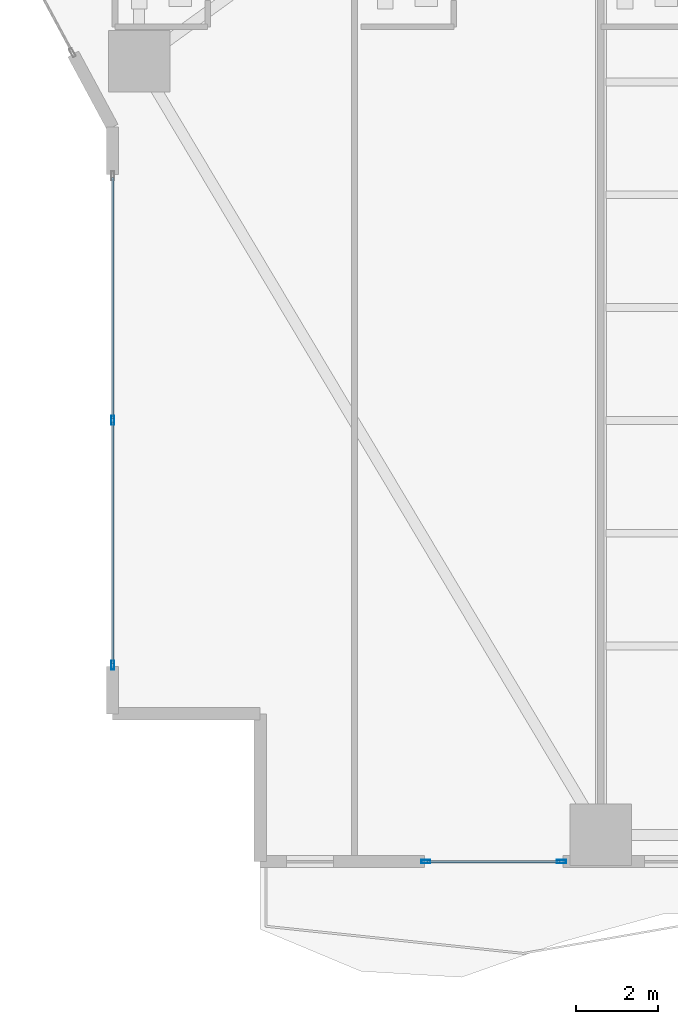
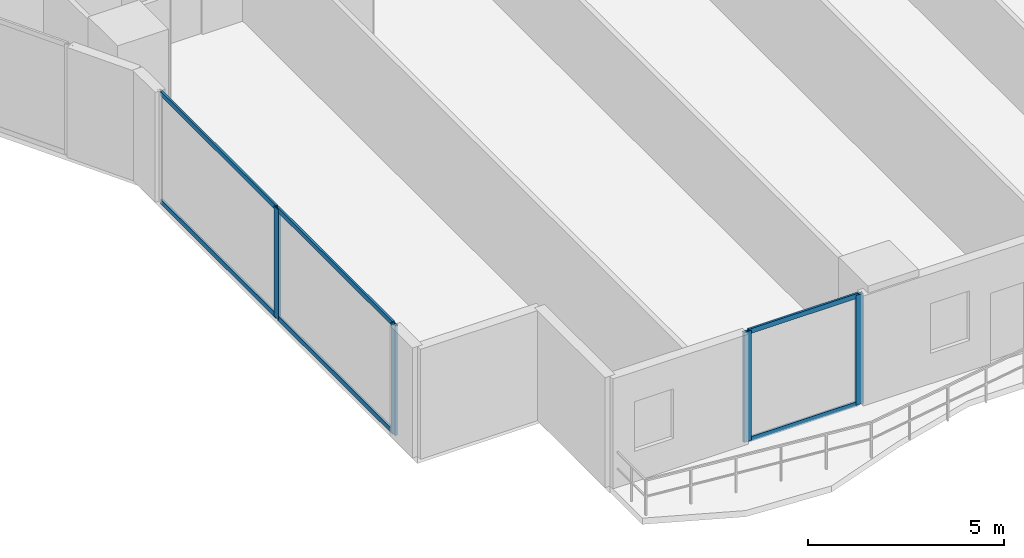
# One storey, part 2 of 29: 10 members, 2 elements without a shape of their own.
"""IFC4 building model written with IfcOpenShell, lengths in metres."""

from ifc_helpers import new_model, si_unit, direction, frame, origin, origin_2d, place, context, subcontext, project, spatial, hollow_rectangle, extrude, material, layer, layer_set, material_profile, profile_set, type_object, element, aggregate, save


model = new_model("IFC4")

# Units and contexts
model_context = context("Model", 3, precision=1e-05, world=origin(), true_north=direction((0.0, 1.0)))
body_context = subcontext(model_context, "Body", "Model", "MODEL_VIEW")
ifc_project = project(units=[si_unit("LENGTHUNIT", "METRE"), si_unit("AREAUNIT", "SQUARE_METRE"), si_unit("VOLUMEUNIT", "CUBIC_METRE"), si_unit("PLANEANGLEUNIT", "RADIAN"), si_unit("MASSUNIT", "GRAM", prefix="KILO")], contexts=[model_context])

# Site, building, storey
site_placement = place(None, origin())
site = spatial("IfcSite", under=ifc_project, at=site_placement, CompositionType="ELEMENT")
building_placement = place(site_placement, origin())
building = spatial("IfcBuilding", under=site, at=building_placement, Name="Zuhayl Quay Hotel", CompositionType="ELEMENT")
storey_placement = place(building_placement, frame((0.0, 0.0, 64.10009765625)))
storey = spatial("IfcBuildingStorey", under=building, at=storey_placement, Name="L15", CompositionType="ELEMENT", Elevation=64.10009765625)

# Curtain wall, members
ifc_material_1 = material(Name="Anodised Aluminium 6063-T6", Category="aluminium")
ifc_layer = layer(ifc_material_1, 0.18994140625, Name="Anodised Aluminium 6063-T6", Category="aluminium")
ifc_layer_set = layer_set([ifc_layer], Name="Anodised Aluminium 6063-T6")
curtain_wall_type = type_object("IfcCurtainWallType", Name="CW_SYS_Z1", PredefinedType="USERDEFINED", material=ifc_layer_set)
curtain_wall_1_placement = place(storey_placement, origin())
curtain_wall_1 = element("IfcCurtainWall", 1, at=curtain_wall_1_placement, inside=storey, type_object=curtain_wall_type, Name="L15 Curtain Wall ENV_L15_E02_CW1", ObjectType="UNITISED CURTAIN WALL", PredefinedType="USERDEFINED")
ifc_material_2 = material(Name="Black-anodised aluminium 6063-T6", Category="aluminium")
ifc_material_profile_1 = material_profile(ifc_material_2, hollow_rectangle(XDim=0.074951171875, YDim=0.219970703125, WallThickness=0.00390625, at=origin_2d()), Name="ALU220X75")
ifc_profile_set_1 = profile_set([ifc_material_profile_1], Name="Black-anodised aluminium 6063-T6")
member_type_1 = type_object("IfcMemberType", Name="MB_CW_MUL_220", PredefinedType="MULLION", material=ifc_profile_set_1)
member_1_placement = place(storey_placement, frame((-25.699951171875, -18.3125, 0.0), z_axis=(0.0, 0.0, 1.0), x_axis=(-1.0, 0.0, 0.0)))
member_1 = element("IfcMember", 2, at=member_1_placement, type_object=member_type_1, Name="CW-Z1 mullion 1", PredefinedType="MULLION", context=body_context, shape_type="SweptSolid", body=[
    extrude(hollow_rectangle(XDim=0.074951171875, YDim=0.219970703125, WallThickness=0.00390625, at=origin_2d()), origin(), (0.0, 0.0, 1.0), 3.429931640625),
])
member_2_placement = place(storey_placement, frame((-25.699951171875, -12.35009765625, 0.0), z_axis=(0.0, 0.0, 1.0), x_axis=(-1.0, 0.0, 0.0)))
member_2 = element("IfcMember", 3, at=member_2_placement, type_object=member_type_1, Name="CW-Z1 mullion 2", PredefinedType="MULLION", context=body_context, shape_type="SweptSolid", body=[
    extrude(hollow_rectangle(XDim=0.074951171875, YDim=0.219970703125, WallThickness=0.00390625, at=origin_2d()), origin(), (0.0, 0.0, 1.0), 3.429931640625),
])

curtain_wall_2_placement = place(storey_placement, origin())
curtain_wall_2 = element("IfcCurtainWall", 4, at=curtain_wall_2_placement, inside=storey, type_object=curtain_wall_type, Name="L15 Curtain Wall ENV_L15_S_CW7", ObjectType="UNITISED CURTAIN WALL", PredefinedType="USERDEFINED")
member_3_placement = place(storey_placement, frame((-14.757568359375, -23.10009765625, 0.0), z_axis=(0.0, 0.0, 1.0), x_axis=(0.0, -1.0, 0.0)))
member_3 = element("IfcMember", 5, at=member_3_placement, type_object=member_type_1, Name="CW-Z1 mullion 1", PredefinedType="MULLION", context=body_context, shape_type="SweptSolid", body=[
    extrude(hollow_rectangle(XDim=0.074951171875, YDim=0.219970703125, WallThickness=0.00390625, at=origin_2d()), origin(), (0.0, 0.0, 1.0), 3.429931640625),
])
member_4_placement = place(storey_placement, frame((-18.0625, -23.10009765625, 0.0), z_axis=(0.0, 0.0, 1.0), x_axis=(0.0, -1.0, 0.0)))
member_4 = element("IfcMember", 6, at=member_4_placement, type_object=member_type_1, Name="CW-Z1 mullion 2", PredefinedType="MULLION", context=body_context, shape_type="SweptSolid", body=[
    extrude(hollow_rectangle(XDim=0.074951171875, YDim=0.219970703125, WallThickness=0.00390625, at=origin_2d()), origin(), (0.0, 0.0, 1.0), 3.429931640625),
])

# Member
ifc_material_profile_2 = material_profile(ifc_material_2, hollow_rectangle(XDim=0.06005859375, YDim=0.14990234375, WallThickness=0.00341796875, at=origin_2d()), Name="ALU150X60")
ifc_profile_set_2 = profile_set([ifc_material_profile_2], Name="Black-anodised aluminium 6063-T6")
member_type_2 = type_object("IfcMemberType", Name="MB_CW_TRN_150", PredefinedType="USERDEFINED", material=ifc_profile_set_2)
member_5_placement = place(storey_placement, frame((-25.699951171875, -18.27490234375, 0.02978515625), z_axis=(0.0, 1.0, 0.0), x_axis=(-1.0, 0.0, 0.0)))
member_5 = element("IfcMember", 7, at=member_5_placement, type_object=member_type_2, Name="CW-Z1 transom 1.1", ObjectType="TRANSOM", PredefinedType="USERDEFINED", context=body_context, shape_type="SweptSolid", body=[
    extrude(hollow_rectangle(XDim=0.06005859375, YDim=0.14990234375, WallThickness=0.00341796875, at=origin_2d()), origin(), (0.0, 0.0, 1.0), 5.887451171875),
])

member_6_placement = place(storey_placement, frame((-25.699951171875, -18.27490234375, 3.39990234375), z_axis=(0.0, 1.0, 0.0), x_axis=(-1.0, 0.0, 0.0)))
member_6 = element("IfcMember", 8, at=member_6_placement, type_object=member_type_2, Name="CW-Z1 transom 1.2", ObjectType="TRANSOM", PredefinedType="USERDEFINED", context=body_context, shape_type="SweptSolid", body=[
    extrude(hollow_rectangle(XDim=0.06005859375, YDim=0.14990234375, WallThickness=0.00341796875, at=origin_2d()), origin(), (0.0, 0.0, 1.0), 5.887451171875),
])

member_7_placement = place(storey_placement, frame((-25.699951171875, -12.3125, 0.02978515625), z_axis=(0.0, 1.0, 0.0), x_axis=(-1.0, 0.0, 0.0)))
member_7 = element("IfcMember", 9, at=member_7_placement, type_object=member_type_2, Name="CW-Z1 transom 2.1", ObjectType="TRANSOM", PredefinedType="USERDEFINED", context=body_context, shape_type="SweptSolid", body=[
    extrude(hollow_rectangle(XDim=0.06005859375, YDim=0.14990234375, WallThickness=0.00341796875, at=origin_2d()), origin(), (0.0, 0.0, 1.0), 5.887451171875),
])

member_8_placement = place(storey_placement, frame((-25.699951171875, -12.3125, 3.39990234375), z_axis=(0.0, 1.0, 0.0), x_axis=(-1.0, 0.0, 0.0)))
member_8 = element("IfcMember", 10, at=member_8_placement, type_object=member_type_2, Name="CW-Z1 transom 2.2", ObjectType="TRANSOM", PredefinedType="USERDEFINED", context=body_context, shape_type="SweptSolid", body=[
    extrude(hollow_rectangle(XDim=0.06005859375, YDim=0.14990234375, WallThickness=0.00341796875, at=origin_2d()), origin(), (0.0, 0.0, 1.0), 5.887451171875),
])

aggregate(curtain_wall_1, [member_1, member_2, member_5, member_6, member_7, member_8])

member_9_placement = place(storey_placement, frame((-14.794921875, -23.10009765625, 0.02978515625), z_axis=(-1.0, 0.0, 0.0), x_axis=(0.0, -1.0, 0.0)))
member_9 = element("IfcMember", 11, at=member_9_placement, type_object=member_type_2, Name="CW-Z1 transom 1.1", ObjectType="TRANSOM", PredefinedType="USERDEFINED", context=body_context, shape_type="SweptSolid", body=[
    extrude(hollow_rectangle(XDim=0.06005859375, YDim=0.14990234375, WallThickness=0.00341796875, at=origin_2d()), origin(), (0.0, 0.0, 1.0), 3.22998046875),
])

member_10_placement = place(storey_placement, frame((-14.794921875, -23.10009765625, 3.39990234375), z_axis=(-1.0, 0.0, 0.0), x_axis=(0.0, -1.0, 0.0)))
member_10 = element("IfcMember", 12, at=member_10_placement, type_object=member_type_2, Name="CW-Z1 transom 1.2", ObjectType="TRANSOM", PredefinedType="USERDEFINED", context=body_context, shape_type="SweptSolid", body=[
    extrude(hollow_rectangle(XDim=0.06005859375, YDim=0.14990234375, WallThickness=0.00341796875, at=origin_2d()), origin(), (0.0, 0.0, 1.0), 3.22998046875),
])

aggregate(curtain_wall_2, [member_3, member_4, member_9, member_10])

save(model, "model.ifc")
